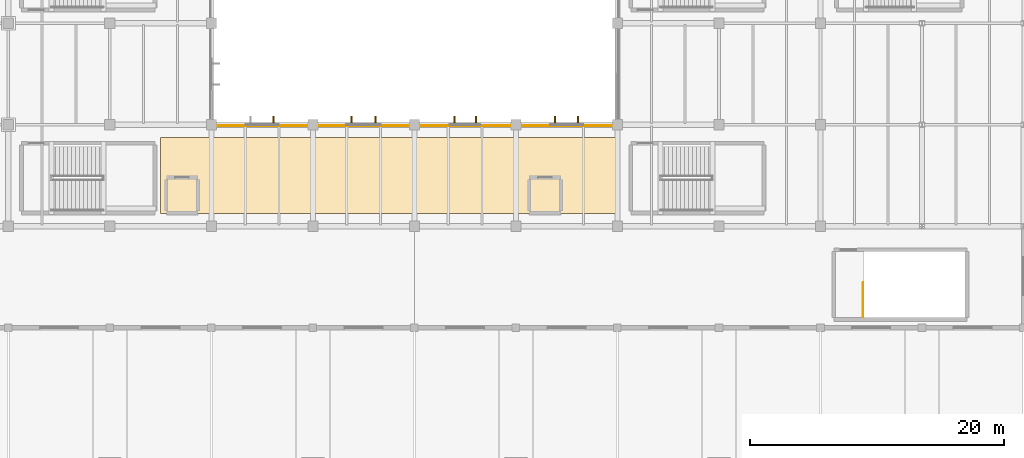
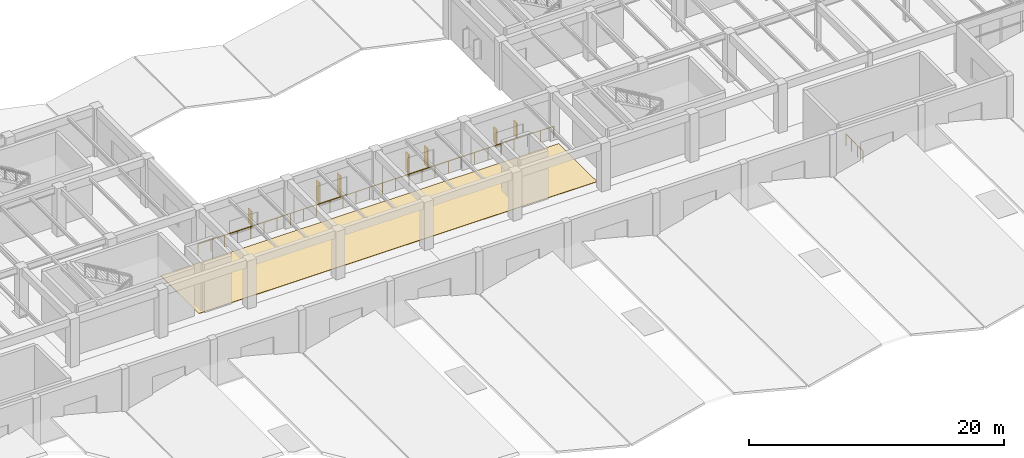
# One storey, part 54 of 60: 7 shading devices, 2 railings, 1 covering.
"""IFC4 building model written with IfcOpenShell, lengths in metres."""

from ifc_helpers import new_model, si_unit, direction, frame, origin, origin_2d, place, context, subcontext, project, spatial, polyline, rectangle, circle, outline, extrude, material, layer, layer_set, type_object, element, save


model = new_model("IFC4")

# Units and contexts
model_context = context("Model", 3, precision=1e-05, world=origin(), true_north=direction((0.0, 1.0)))
body_context = subcontext(model_context, "Body", "Model", "MODEL_VIEW")
ifc_project = project(units=[si_unit("LENGTHUNIT", "METRE"), si_unit("AREAUNIT", "SQUARE_METRE"), si_unit("VOLUMEUNIT", "CUBIC_METRE"), si_unit("PLANEANGLEUNIT", "RADIAN"), si_unit("MASSUNIT", "GRAM", prefix="KILO")], contexts=[model_context])

# Site, building, storey
site_placement = place(None, origin())
site = spatial("IfcSite", under=ifc_project, at=site_placement, CompositionType="ELEMENT")
building_placement = place(site_placement, origin())
building = spatial("IfcBuilding", under=site, at=building_placement, Name="Varnela Railside Interchange", CompositionType="ELEMENT")
storey_placement = place(building_placement, frame((0.0, 0.0, 6.300048828125)))
storey = spatial("IfcBuildingStorey", under=building, at=storey_placement, Name="L01", CompositionType="ELEMENT", Elevation=6.300048828125)

# Railing
ifc_material_1 = material(Name="Glass laminated double", Category="glass")
railing_type_1 = type_object("IfcRailingType", Name="Concourse Atrium Balustrade BL-01", PredefinedType="BALUSTRADE", material=ifc_material_1)
railing_1_placement = place(storey_placement, frame((67.919921875, 45.919921875, 0.0)))
element("IfcRailing", 1, at=railing_1_placement, inside=storey, type_object=railing_type_1, Name="Concourse Atrium South Balustrade (L01) (RL-0295)", PredefinedType="BALUSTRADE", context=body_context, shape_type="SweptSolid", body=[
    extrude(circle(Radius=0.02392578125, at=origin_2d()), frame((0.0, 0.0, 1.09619140625), z_axis=(1.0, 0.0, 0.0), x_axis=(0.0, 1.0, 0.0)), (0.0, 0.0, 1.0), 32.16015625),
    extrude(circle(Radius=0.02099609375, at=origin_2d()), origin(), (0.0, 0.0, 1.0), 1.072021484375),
    extrude(circle(Radius=0.02099609375, at=origin_2d()), frame((1.191162109375, 0.0, 0.0)), (0.0, 0.0, 1.0), 1.072021484375),
    extrude(circle(Radius=0.02099609375, at=origin_2d()), frame((2.38232421875, 0.0, 0.0)), (0.0, 0.0, 1.0), 1.072021484375),
    extrude(circle(Radius=0.02099609375, at=origin_2d()), frame((3.5732421875, 0.0, 0.0)), (0.0, 0.0, 1.0), 1.072021484375),
    extrude(circle(Radius=0.02099609375, at=origin_2d()), frame((4.764404296875, 0.0, 0.0)), (0.0, 0.0, 1.0), 1.072021484375),
    extrude(circle(Radius=0.02099609375, at=origin_2d()), frame((5.95556640625, 0.0, 0.0)), (0.0, 0.0, 1.0), 1.072021484375),
    extrude(circle(Radius=0.02099609375, at=origin_2d()), frame((7.146728515625, 0.0, 0.0)), (0.0, 0.0, 1.0), 1.072021484375),
    extrude(circle(Radius=0.02099609375, at=origin_2d()), frame((8.337890625, 0.0, 0.0)), (0.0, 0.0, 1.0), 1.072021484375),
    extrude(circle(Radius=0.02099609375, at=origin_2d()), frame((9.529052734375, 0.0, 0.0)), (0.0, 0.0, 1.0), 1.072021484375),
    extrude(circle(Radius=0.02099609375, at=origin_2d()), frame((10.719970703125, 0.0, 0.0)), (0.0, 0.0, 1.0), 1.072021484375),
    extrude(circle(Radius=0.02099609375, at=origin_2d()), frame((11.9111328125, 0.0, 0.0)), (0.0, 0.0, 1.0), 1.072021484375),
    extrude(circle(Radius=0.02099609375, at=origin_2d()), frame((13.102294921875, 0.0, 0.0)), (0.0, 0.0, 1.0), 1.072021484375),
    extrude(circle(Radius=0.02099609375, at=origin_2d()), frame((14.29345703125, 0.0, 0.0)), (0.0, 0.0, 1.0), 1.072021484375),
    extrude(circle(Radius=0.02099609375, at=origin_2d()), frame((15.484619140625, 0.0, 0.0)), (0.0, 0.0, 1.0), 1.072021484375),
    extrude(circle(Radius=0.02099609375, at=origin_2d()), frame((16.675537109375, 0.0, 0.0)), (0.0, 0.0, 1.0), 1.072021484375),
    extrude(circle(Radius=0.02099609375, at=origin_2d()), frame((17.86669921875, 0.0, 0.0)), (0.0, 0.0, 1.0), 1.072021484375),
    extrude(circle(Radius=0.02099609375, at=origin_2d()), frame((19.057861328125, 0.0, 0.0)), (0.0, 0.0, 1.0), 1.072021484375),
    extrude(circle(Radius=0.02099609375, at=origin_2d()), frame((20.2490234375, 0.0, 0.0)), (0.0, 0.0, 1.0), 1.072021484375),
    extrude(circle(Radius=0.02099609375, at=origin_2d()), frame((21.440185546875, 0.0, 0.0)), (0.0, 0.0, 1.0), 1.072021484375),
    extrude(circle(Radius=0.02099609375, at=origin_2d()), frame((22.631103515625, 0.0, 0.0)), (0.0, 0.0, 1.0), 1.072021484375),
    extrude(circle(Radius=0.02099609375, at=origin_2d()), frame((23.822265625, 0.0, 0.0)), (0.0, 0.0, 1.0), 1.072021484375),
    extrude(circle(Radius=0.02099609375, at=origin_2d()), frame((25.013427734375, 0.0, 0.0)), (0.0, 0.0, 1.0), 1.072021484375),
    extrude(circle(Radius=0.02099609375, at=origin_2d()), frame((26.20458984375, 0.0, 0.0)), (0.0, 0.0, 1.0), 1.072021484375),
    extrude(circle(Radius=0.02099609375, at=origin_2d()), frame((27.395751953125, 0.0, 0.0)), (0.0, 0.0, 1.0), 1.072021484375),
    extrude(circle(Radius=0.02099609375, at=origin_2d()), frame((28.5869140625, 0.0, 0.0)), (0.0, 0.0, 1.0), 1.072021484375),
    extrude(circle(Radius=0.02099609375, at=origin_2d()), frame((29.77783203125, 0.0, 0.0)), (0.0, 0.0, 1.0), 1.072021484375),
    extrude(circle(Radius=0.02099609375, at=origin_2d()), frame((30.968994140625, 0.0, 0.0)), (0.0, 0.0, 1.0), 1.072021484375),
    extrude(circle(Radius=0.02099609375, at=origin_2d()), frame((32.16015625, 0.0, 0.0)), (0.0, 0.0, 1.0), 1.072021484375),
])

# Covering
ifc_material_2 = material(Name="Concrete C40 precast", Category="concrete")
ifc_layer = layer(ifc_material_2, 0.034912109375)
ifc_layer_set = layer_set([ifc_layer], Name="Concrete C40 precast")
covering_type = type_object("IfcCoveringType", Name="Heavy-Duty Granite Terrazzo Flooring CV-FLR", PredefinedType="FLOORING", material=ifc_layer_set)
covering_placement = place(storey_placement, origin())
element("IfcCovering", 2, at=covering_placement, inside=storey, type_object=covering_type, Name="Heavy-Duty Granite Terrazzo Flooring CV-FLR", PredefinedType="FLOORING", context=body_context, shape_type="SweptSolid", body=[
    extrude(outline(polyline([(64.0, 39.0), (100.0, 39.0), (100.0, 45.0), (64.0, 45.0), (64.0, 39.0)])), origin(), (0.0, 0.0, 1.0), 0.034912109375),
])

# Shading devices
shading_device_type = type_object("IfcShadingDeviceType", Name="Paulista Vertical Brise-Soleil BS-01", PredefinedType="USERDEFINED", material=ifc_material_2)
shading_device_placement = place(storey_placement, frame((72.909912109375, 46.405029296875, 0.949951171875), z_axis=(0.0, 0.0, 1.0), x_axis=(0.0, 1.0, 0.0)))
element("IfcShadingDevice", 3, at=shading_device_placement, inside=storey, type_object=shading_device_type, Name="Paulista Vertical Brise-Soleil BS-01 (L01)", ObjectType="FIN", PredefinedType="USERDEFINED", context=body_context, shape_type="SweptSolid", body=[
    extrude(rectangle(XDim=0.5, YDim=0.1201171875, at=origin_2d()), origin(), (0.0, 0.0, 1.0), 1.39990234375),
])
for number, where, z_axis, x_axis, name in (
    (4, (79.054931640625, 46.405029296875, 0.9501953125), (0.0, 0.0, 1.0), (0.0, 1.0, 0.0), "Paulista Vertical Brise-Soleil BS-01 (L01)"),
    (5, (80.945068359375, 46.405029296875, 0.9501953125), (0.0, 0.0, 1.0), (0.0, 1.0, 0.0), "Paulista Vertical Brise-Soleil BS-01 (L01)"),
):
    element("IfcShadingDevice", number, at=place(storey_placement, frame(where, z_axis=z_axis, x_axis=x_axis)), inside=storey, type_object=shading_device_type, Name=name, ObjectType="FIN", PredefinedType="USERDEFINED", context=body_context, shape_type="SweptSolid", body=[
        extrude(rectangle(XDim=0.5, YDim=0.1201171875, at=origin_2d()), origin(), (0.0, 0.0, 1.0), 1.949951171875),
    ])
for number, where, z_axis, x_axis, name in (
    (6, (87.159912109375, 46.405029296875, 0.94970703125), (0.0, 0.0, 1.0), (0.0, 1.0, 0.0), "Paulista Vertical Brise-Soleil BS-01 (L01)"),
    (7, (88.840087890625, 46.405029296875, 0.94970703125), (0.0, 0.0, 1.0), (0.0, 1.0, 0.0), "Paulista Vertical Brise-Soleil BS-01 (L01)"),
):
    element("IfcShadingDevice", number, at=place(storey_placement, frame(where, z_axis=z_axis, x_axis=x_axis)), inside=storey, type_object=shading_device_type, Name=name, ObjectType="FIN", PredefinedType="USERDEFINED", context=body_context, shape_type="SweptSolid", body=[
        extrude(rectangle(XDim=0.5, YDim=0.1201171875, at=origin_2d()), origin(), (0.0, 0.0, 1.0), 1.800048828125),
    ])
for number, where, z_axis, x_axis, name in (
    (8, (95.090087890625, 46.405029296875, 0.949951171875), (0.0, 0.0, 1.0), (0.0, 1.0, 0.0), "Paulista Vertical Brise-Soleil BS-01 (L01)"),
    (9, (96.909912109375, 46.405029296875, 0.949951171875), (0.0, 0.0, 1.0), (0.0, 1.0, 0.0), "Paulista Vertical Brise-Soleil BS-01 (L01)"),
):
    element("IfcShadingDevice", number, at=place(storey_placement, frame(where, z_axis=z_axis, x_axis=x_axis)), inside=storey, type_object=shading_device_type, Name=name, ObjectType="FIN", PredefinedType="USERDEFINED", context=body_context, shape_type="SweptSolid", body=[
        extrude(rectangle(XDim=0.5, YDim=0.1201171875, at=origin_2d()), origin(), (0.0, 0.0, 1.0), 1.39990234375),
    ])

# Railing
ifc_material_3 = material(Name="Steel AR 350 (350 MPa)", Category="steel")
railing_type_2 = type_object("IfcRailingType", Name="Stair Well & Landing Guard GR-02", PredefinedType="GUARDRAIL", material=ifc_material_3)
railing_2_placement = place(storey_placement, frame((119.360107421875, 30.860107421875, 0.0)))
element("IfcRailing", 10, at=railing_2_placement, inside=storey, type_object=railing_type_2, Name="Stair Well Arrival Guard ST-M2 on L01 (RL-0281)", PredefinedType="GUARDRAIL", context=body_context, shape_type="SweptSolid", body=[
    extrude(circle(Radius=0.02392578125, at=origin_2d()), frame((0.0, 0.0, 1.09619140625), z_axis=(0.0, 1.0, 0.0), x_axis=(-1.0, 0.0, 0.0)), (0.0, 0.0, 1.0), 2.68994140625),
    extrude(circle(Radius=0.02099609375, at=origin_2d()), origin(), (0.0, 0.0, 1.0), 1.072021484375),
    extrude(circle(Radius=0.02099609375, at=origin_2d()), frame((0.0, 0.896728515625, 0.0)), (0.0, 0.0, 1.0), 1.072021484375),
    extrude(circle(Radius=0.02099609375, at=origin_2d()), frame((0.0, 1.793212890625, 0.0)), (0.0, 0.0, 1.0), 1.072021484375),
    extrude(circle(Radius=0.02099609375, at=origin_2d()), frame((0.0, 2.68994140625, 0.0)), (0.0, 0.0, 1.0), 1.072021484375),
])

save(model, "model.ifc")
